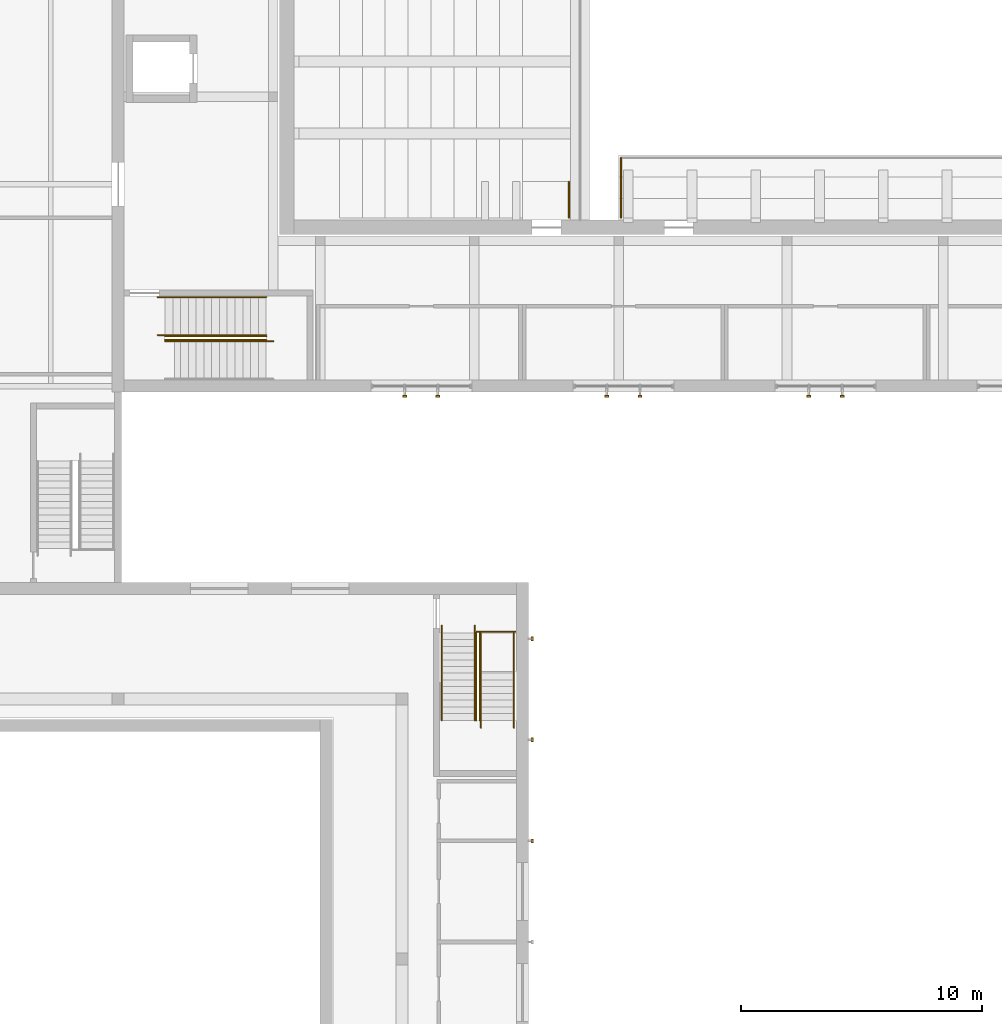
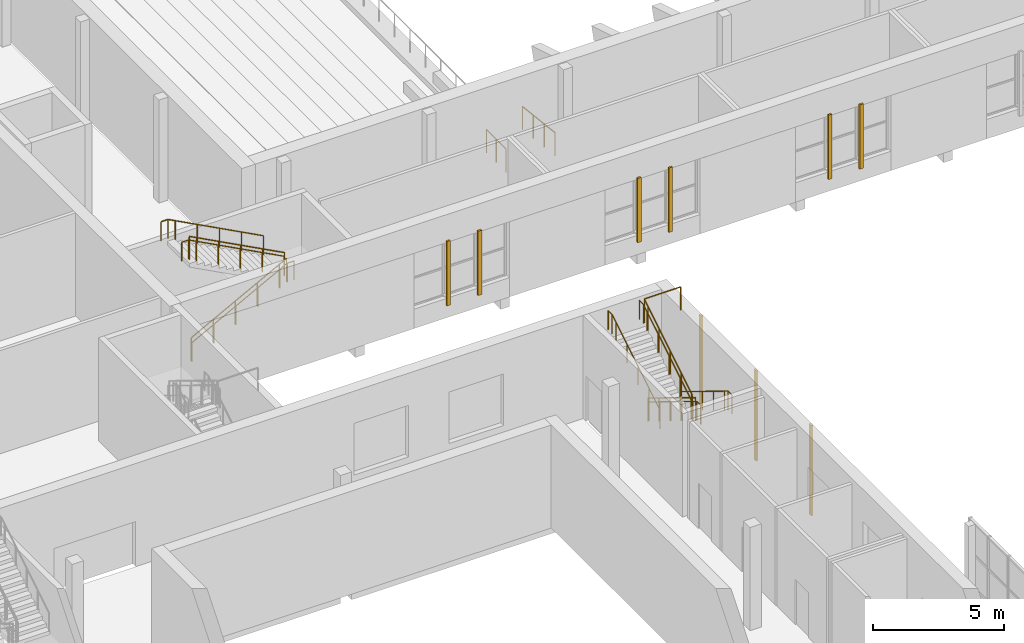
# One storey, part 111 of 127: 14 railings, 9 shading devices.
"""IFC4 building model written with IfcOpenShell, lengths in metres."""

from ifc_helpers import new_model, si_unit, direction, frame, origin, origin_2d, place, context, subcontext, project, spatial, rectangle, circle, extrude, material, type_object, element, save


model = new_model("IFC4")

# Units and contexts
model_context = context("Model", 3, precision=1e-05, world=origin(), true_north=direction((0.0, 1.0)))
body_context = subcontext(model_context, "Body", "Model", "MODEL_VIEW")
ifc_project = project(units=[si_unit("LENGTHUNIT", "METRE"), si_unit("AREAUNIT", "SQUARE_METRE"), si_unit("VOLUMEUNIT", "CUBIC_METRE"), si_unit("PLANEANGLEUNIT", "RADIAN"), si_unit("MASSUNIT", "GRAM", prefix="KILO")], contexts=[model_context])

# Site, building, storey
site_placement = place(None, origin())
site = spatial("IfcSite", under=ifc_project, at=site_placement, CompositionType="ELEMENT")
building_placement = place(site_placement, origin())
building = spatial("IfcBuilding", under=site, at=building_placement, Name="Ljudholm Concert House", CompositionType="ELEMENT")
storey_placement = place(building_placement, frame((0.0, 0.0, 5.39990234375)))
storey = spatial("IfcBuildingStorey", under=building, at=storey_placement, Name="L01", CompositionType="ELEMENT", Elevation=5.39990234375)

# Shading devices
ifc_material_1 = material(Name="Aluminium extrusion with timber-grain PVDF finish", Category="aluminium")
shading_device_type = type_object("IfcShadingDeviceType", Name="FACADE FIN 80x160", PredefinedType="SHUTTER", material=ifc_material_1)
for number, where, z_axis, x_axis, name in (
    (1, (41.110107421875, 53.989990234375, 0.7001953125), (0.0, 0.0, 1.0), (0.0, -1.0, 0.0), "Facade fin"),
    (2, (42.489990234375, 53.989990234375, 0.7001953125), (0.0, 0.0, 1.0), (0.0, -1.0, 0.0), "Facade fin"),
    (3, (49.510009765625, 53.989990234375, 0.7001953125), (0.0, 0.0, 1.0), (0.0, -1.0, 0.0), "Facade fin"),
    (4, (50.889892578125, 53.989990234375, 0.7001953125), (0.0, 0.0, 1.0), (0.0, -1.0, 0.0), "Facade fin"),
    (5, (57.909912109375, 53.989990234375, 0.7001953125), (0.0, 0.0, 1.0), (0.0, -1.0, 0.0), "Facade fin"),
    (6, (59.2900390625, 53.989990234375, 0.7001953125), (0.0, 0.0, 1.0), (0.0, -1.0, 0.0), "Facade fin"),
):
    element("IfcShadingDevice", number, at=place(storey_placement, frame(where, z_axis=z_axis, x_axis=x_axis)), inside=storey, type_object=shading_device_type, Name=name, PredefinedType="SHUTTER", context=body_context, shape_type="SweptSolid", body=[
        extrude(rectangle(XDim=0.080078125, YDim=0.159912109375, at=origin_2d()), origin(), (0.0, 0.0, 1.0), 3.0),
    ])
for number, where, z_axis, x_axis, name in (
    (7, (46.409912109375, 35.5, 0.30029296875), (0.0, 0.0, 1.0), (1.0, 0.0, 0.0), "Facade fin"),
    (8, (46.409912109375, 39.699951171875, 0.30029296875), (0.0, 0.0, 1.0), (1.0, 0.0, 0.0), "Facade fin"),
    (9, (46.409912109375, 43.89990234375, 0.30029296875), (0.0, 0.0, 1.0), (1.0, 0.0, 0.0), "Facade fin"),
):
    element("IfcShadingDevice", number, at=place(storey_placement, frame(where, z_axis=z_axis, x_axis=x_axis)), inside=storey, type_object=shading_device_type, Name=name, PredefinedType="SHUTTER", context=body_context, shape_type="SweptSolid", body=[
        extrude(rectangle(XDim=0.080078125, YDim=0.159912109375, at=origin_2d()), origin(), (0.0, 0.0, 1.0), 4.199951171875),
    ])

# Railings
ifc_material_2 = material(Name="Steel ASTM A36", Category="steel")
railing_type_1 = type_object("IfcRailingType", Name="GUARD 1100", PredefinedType="GUARDRAIL", material=ifc_material_2)
railing_1_placement = place(storey_placement, frame((31.14990234375, 56.324951171875, 0.171630859375)))
element("IfcRailing", 10, at=railing_1_placement, inside=storey, type_object=railing_type_1, Name="Guard", PredefinedType="GUARDRAIL", context=body_context, shape_type="SweptSolid", body=[
    extrude(circle(Radius=0.02490234375, at=origin_2d()), frame((0.0, 0.0, 1.0751953125), z_axis=(0.883397901953, 0.0, 0.468623672925), x_axis=(0.0, 1.0, 0.0)), (0.0, 0.0, 1.0), 1.09716796875),
    extrude(circle(Radius=0.02490234375, at=origin_2d()), frame((0.96923828125, 0.0, 1.58935546875), z_axis=(0.883305776083, 0.0, 0.468797297281), x_axis=(0.0, 1.0, 0.0)), (0.0, 0.0, 1.0), 1.09716796875),
    extrude(circle(Radius=0.02490234375, at=origin_2d()), frame((1.9384765625, 0.0, 2.103515625), z_axis=(0.883397901953, 0.0, 0.468623672925), x_axis=(0.0, 1.0, 0.0)), (0.0, 0.0, 1.0), 1.09716796875),
    extrude(circle(Radius=0.02490234375, at=origin_2d()), frame((2.90771484375, 0.0, 2.61767578125), z_axis=(0.883305776083, 0.0, 0.468797297281), x_axis=(0.0, 1.0, 0.0)), (0.0, 0.0, 1.0), 1.09716796875),
    extrude(circle(Radius=0.02490234375, at=origin_2d()), frame((3.876953125, 0.0, 3.13232421875), z_axis=(0.883495578036, 0.0, 0.468439498324), x_axis=(0.0, 1.0, 0.0)), (0.0, 0.0, 1.0), 0.365966796875),
    extrude(circle(Radius=0.02099609375, at=origin_2d()), origin(), (0.0, 0.0, 1.0), 1.050048828125),
    extrude(circle(Radius=0.02099609375, at=origin_2d()), frame((0.96923828125, 0.0, 0.51416015625)), (0.0, 0.0, 1.0), 1.050048828125),
    extrude(circle(Radius=0.02099609375, at=origin_2d()), frame((1.9384765625, 0.0, 1.028564453125)), (0.0, 0.0, 1.0), 1.050048828125),
    extrude(circle(Radius=0.02099609375, at=origin_2d()), frame((2.90771484375, 0.0, 1.542724609375)), (0.0, 0.0, 1.0), 1.050048828125),
    extrude(circle(Radius=0.02099609375, at=origin_2d()), frame((3.876953125, 0.0, 2.05712890625)), (0.0, 0.0, 1.0), 1.050048828125),
    extrude(circle(Radius=0.02099609375, at=origin_2d()), frame((4.2001953125, 0.0, 2.228515625)), (0.0, 0.0, 1.0), 1.050048828125),
])
railing_2_placement = place(storey_placement, frame((35.35009765625, 56.47509765625, 2.571533203125)))
element("IfcRailing", 11, at=railing_2_placement, inside=storey, type_object=railing_type_1, Name="Guard", PredefinedType="GUARDRAIL", context=body_context, shape_type="SweptSolid", body=[
    extrude(circle(Radius=0.02490234375, at=origin_2d()), frame((0.0, 0.0, 1.0751953125), z_axis=(-0.883397901953, 0.0, 0.468623672925), x_axis=(0.0, -1.0, 0.0)), (0.0, 0.0, 1.0), 1.09716796875),
    extrude(circle(Radius=0.02490234375, at=origin_2d()), frame((-0.96923828125, 0.0, 1.58935546875), z_axis=(-0.883305776083, 0.0, 0.468797297281), x_axis=(0.0, -1.0, 0.0)), (0.0, 0.0, 1.0), 1.09716796875),
    extrude(circle(Radius=0.02490234375, at=origin_2d()), frame((-1.9384765625, 0.0, 2.103515625), z_axis=(-0.883305776083, 0.0, 0.468797297281), x_axis=(0.0, -1.0, 0.0)), (0.0, 0.0, 1.0), 1.09716796875),
    extrude(circle(Radius=0.02490234375, at=origin_2d()), frame((-2.90771484375, 0.0, 2.6181640625), z_axis=(-0.883397901953, 0.0, 0.468623672925), x_axis=(0.0, -1.0, 0.0)), (0.0, 0.0, 1.0), 1.09716796875),
    extrude(circle(Radius=0.02490234375, at=origin_2d()), frame((-3.876953125, 0.0, 3.13232421875), z_axis=(-0.883495578036, 0.0, 0.468439498324), x_axis=(0.0, -1.0, 0.0)), (0.0, 0.0, 1.0), 0.365966796875),
    extrude(circle(Radius=0.02099609375, at=origin_2d()), origin(), (0.0, 0.0, 1.0), 1.050048828125),
    extrude(circle(Radius=0.02099609375, at=origin_2d()), frame((-0.96923828125, 0.0, 0.51416015625)), (0.0, 0.0, 1.0), 1.050048828125),
    extrude(circle(Radius=0.02099609375, at=origin_2d()), frame((-1.9384765625, 0.0, 1.028564453125)), (0.0, 0.0, 1.0), 1.050048828125),
    extrude(circle(Radius=0.02099609375, at=origin_2d()), frame((-2.90771484375, 0.0, 1.54296875)), (0.0, 0.0, 1.0), 1.050048828125),
    extrude(circle(Radius=0.02099609375, at=origin_2d()), frame((-3.876953125, 0.0, 2.05712890625)), (0.0, 0.0, 1.0), 1.050048828125),
    extrude(circle(Radius=0.02099609375, at=origin_2d()), frame((-4.2001953125, 0.0, 2.228515625)), (0.0, 0.0, 1.0), 1.050048828125),
])
railing_3_placement = place(storey_placement, frame((44.22509765625, 44.14990234375, 0.171630859375)))
element("IfcRailing", 12, at=railing_3_placement, inside=storey, type_object=railing_type_1, Name="Guard", PredefinedType="GUARDRAIL", context=body_context, shape_type="SweptSolid", body=[
    extrude(circle(Radius=0.02490234375, at=origin_2d()), frame((0.0, 0.0, 1.0751953125), z_axis=(0.0, -0.85286482292, 0.522131778218), x_axis=(1.0, 0.0, 0.0)), (0.0, 0.0, 1.0), 0.984619140625),
    extrude(circle(Radius=0.02490234375, at=origin_2d()), frame((0.0, -0.83984375, 1.58935546875), z_axis=(0.0, -0.852822021269, 0.522201685212), x_axis=(1.0, 0.0, 0.0)), (0.0, 0.0, 1.0), 0.985107421875),
    extrude(circle(Radius=0.02490234375, at=origin_2d()), frame((0.0, -1.679931640625, 2.103515625), z_axis=(0.0, -0.852932391421, 0.522021393877), x_axis=(1.0, 0.0, 0.0)), (0.0, 0.0, 1.0), 0.98486328125),
    extrude(circle(Radius=0.02490234375, at=origin_2d()), frame((0.0, -2.52001953125, 2.61767578125), z_axis=(0.0, -0.852754414843, 0.522312079092), x_axis=(1.0, 0.0, 0.0)), (0.0, 0.0, 1.0), 0.98486328125),
    extrude(circle(Radius=0.02490234375, at=origin_2d()), frame((0.0, -3.35986328125, 3.13232421875), z_axis=(0.0, -0.852932391421, 0.522021393877), x_axis=(1.0, 0.0, 0.0)), (0.0, 0.0, 1.0), 0.328369140625),
    extrude(circle(Radius=0.02099609375, at=origin_2d()), origin(), (0.0, 0.0, 1.0), 1.050048828125),
    extrude(circle(Radius=0.02099609375, at=origin_2d()), frame((0.0, -0.83984375, 0.51416015625)), (0.0, 0.0, 1.0), 1.050048828125),
    extrude(circle(Radius=0.02099609375, at=origin_2d()), frame((0.0, -1.679931640625, 1.028564453125)), (0.0, 0.0, 1.0), 1.050048828125),
    extrude(circle(Radius=0.02099609375, at=origin_2d()), frame((0.0, -2.52001953125, 1.542724609375)), (0.0, 0.0, 1.0), 1.050048828125),
    extrude(circle(Radius=0.02099609375, at=origin_2d()), frame((0.0, -3.35986328125, 2.05712890625)), (0.0, 0.0, 1.0), 1.050048828125),
    extrude(circle(Radius=0.02099609375, at=origin_2d()), frame((0.0, -3.639892578125, 2.228515625)), (0.0, 0.0, 1.0), 1.050048828125),
])
railing_4_placement = place(storey_placement, frame((44.074951171875, 40.510009765625, 2.571533203125)))
element("IfcRailing", 13, at=railing_4_placement, inside=storey, type_object=railing_type_1, Name="Guard", PredefinedType="GUARDRAIL", context=body_context, shape_type="SweptSolid", body=[
    extrude(circle(Radius=0.02490234375, at=origin_2d()), frame((0.0, 0.0, 1.0751953125), z_axis=(0.0, 0.852932391421, 0.522021393877), x_axis=(-1.0, 0.0, 0.0)), (0.0, 0.0, 1.0), 0.98486328125),
    extrude(circle(Radius=0.02490234375, at=origin_2d()), frame((0.0, 0.840087890625, 1.58935546875), z_axis=(0.0, 0.852754414843, 0.522312079092), x_axis=(-1.0, 0.0, 0.0)), (0.0, 0.0, 1.0), 0.98486328125),
    extrude(circle(Radius=0.02490234375, at=origin_2d()), frame((0.0, 1.679931640625, 2.103515625), z_axis=(0.0, 0.852822021269, 0.522201685212), x_axis=(-1.0, 0.0, 0.0)), (0.0, 0.0, 1.0), 0.985107421875),
    extrude(circle(Radius=0.02490234375, at=origin_2d()), frame((0.0, 2.52001953125, 2.6181640625), z_axis=(0.0, 0.852932391421, 0.522021393877), x_axis=(-1.0, 0.0, 0.0)), (0.0, 0.0, 1.0), 0.98486328125),
    extrude(circle(Radius=0.02490234375, at=origin_2d()), frame((0.0, 3.360107421875, 3.13232421875), z_axis=(0.0, 0.852729557261, 0.522352660731), x_axis=(-1.0, 0.0, 0.0)), (0.0, 0.0, 1.0), 0.328125),
    extrude(circle(Radius=0.02099609375, at=origin_2d()), origin(), (0.0, 0.0, 1.0), 1.050048828125),
    extrude(circle(Radius=0.02099609375, at=origin_2d()), frame((0.0, 0.840087890625, 0.51416015625)), (0.0, 0.0, 1.0), 1.050048828125),
    extrude(circle(Radius=0.02099609375, at=origin_2d()), frame((0.0, 1.679931640625, 1.028564453125)), (0.0, 0.0, 1.0), 1.050048828125),
    extrude(circle(Radius=0.02099609375, at=origin_2d()), frame((0.0, 2.52001953125, 1.54296875)), (0.0, 0.0, 1.0), 1.050048828125),
    extrude(circle(Radius=0.02099609375, at=origin_2d()), frame((0.0, 3.360107421875, 2.05712890625)), (0.0, 0.0, 1.0), 1.050048828125),
    extrude(circle(Radius=0.02099609375, at=origin_2d()), frame((0.0, 3.639892578125, 2.228515625)), (0.0, 0.0, 1.0), 1.050048828125),
])
railing_5_placement = place(storey_placement, frame((44.10009765625, 44.199951171875, 4.800048828125)))
element("IfcRailing", 14, at=railing_5_placement, inside=storey, type_object=railing_type_1, Name="Guard", PredefinedType="GUARDRAIL", context=body_context, shape_type="SweptSolid", body=[
    extrude(circle(Radius=0.02490234375, at=origin_2d()), frame((0.0, 0.0, 1.0751953125), z_axis=(1.0, 0.0, 0.0), x_axis=(0.0, 1.0, 0.0)), (0.0, 0.0, 1.0), 1.599853515625),
    extrude(circle(Radius=0.02099609375, at=origin_2d()), origin(), (0.0, 0.0, 1.0), 1.050048828125),
    extrude(circle(Radius=0.02099609375, at=origin_2d()), frame((1.599853515625, 0.0, 0.0)), (0.0, 0.0, 1.0), 1.050048828125),
])
railing_6_placement = place(storey_placement, frame((47.93994140625, 61.39990234375, 0.0)))
element("IfcRailing", 15, at=railing_6_placement, inside=storey, type_object=railing_type_1, Name="Landing guard", PredefinedType="GUARDRAIL", context=body_context, shape_type="SweptSolid", body=[
    extrude(circle(Radius=0.02490234375, at=origin_2d()), frame((0.0, 0.0, 1.0751953125), z_axis=(0.0, 1.0, 0.0), x_axis=(-1.0, 0.0, 0.0)), (0.0, 0.0, 1.0), 1.5),
    extrude(circle(Radius=0.02099609375, at=origin_2d()), origin(), (0.0, 0.0, 1.0), 1.050048828125),
    extrude(circle(Radius=0.02099609375, at=origin_2d()), frame((0.0, 0.75, 0.0)), (0.0, 0.0, 1.0), 1.050048828125),
    extrude(circle(Radius=0.02099609375, at=origin_2d()), frame((0.0, 1.5, 0.0)), (0.0, 0.0, 1.0), 1.050048828125),
])
railing_7_placement = place(storey_placement, frame((50.10009765625, 61.39990234375, 0.0)))
element("IfcRailing", 16, at=railing_7_placement, inside=storey, type_object=railing_type_1, Name="Gallery end guard", PredefinedType="GUARDRAIL", context=body_context, shape_type="SweptSolid", body=[
    extrude(circle(Radius=0.02490234375, at=origin_2d()), frame((0.0, 0.0, 1.0751953125), z_axis=(0.0, 0.993392781118, -0.114764029303), x_axis=(-1.0, 0.0, 0.0)), (0.0, 0.0, 1.0), 2.5166015625),
    extrude(circle(Radius=0.02099609375, at=origin_2d()), origin(), (0.0, 0.0, 1.0), 1.050048828125),
    extrude(circle(Radius=0.02099609375, at=origin_2d()), frame((0.0, 0.833251953125, -0.09619140625)), (0.0, 0.0, 1.0), 1.050048828125),
    extrude(circle(Radius=0.02099609375, at=origin_2d()), frame((0.0, 1.666748046875, -0.192626953125)), (0.0, 0.0, 1.0), 1.050048828125),
    extrude(circle(Radius=0.02099609375, at=origin_2d()), frame((0.0, 2.5, -0.288818359375)), (0.0, 0.0, 1.0), 1.050048828125),
])
ifc_material_3 = material(Name="Steel ASTM A36", Category="steel")
railing_type_2 = type_object("IfcRailingType", Name="HANDRAIL 900", PredefinedType="HANDRAIL", material=ifc_material_3)
railing_8_placement = place(storey_placement, frame((31.14990234375, 56.27490234375, 0.171630859375)))
element("IfcRailing", 17, at=railing_8_placement, inside=storey, type_object=railing_type_2, Name="Handrail", PredefinedType="HANDRAIL", context=body_context, shape_type="SweptSolid", body=[
    extrude(circle(Radius=0.0224609375, at=origin_2d()), frame((0.0, 0.0, 0.87744140625), z_axis=(0.883397901953, 0.0, 0.468623672925), x_axis=(0.0, 1.0, 0.0)), (0.0, 0.0, 1.0), 1.09716796875),
    extrude(circle(Radius=0.0224609375, at=origin_2d()), frame((0.96923828125, 0.0, 1.3916015625), z_axis=(0.883305776083, 0.0, 0.468797297281), x_axis=(0.0, 1.0, 0.0)), (0.0, 0.0, 1.0), 1.09716796875),
    extrude(circle(Radius=0.0224609375, at=origin_2d()), frame((1.9384765625, 0.0, 1.906005859375), z_axis=(0.883397901953, 0.0, 0.468623672925), x_axis=(0.0, 1.0, 0.0)), (0.0, 0.0, 1.0), 1.09716796875),
    extrude(circle(Radius=0.0224609375, at=origin_2d()), frame((2.90771484375, 0.0, 2.420166015625), z_axis=(0.883305776083, 0.0, 0.468797297281), x_axis=(0.0, 1.0, 0.0)), (0.0, 0.0, 1.0), 1.09716796875),
    extrude(circle(Radius=0.0224609375, at=origin_2d()), frame((3.876953125, 0.0, 2.9345703125), z_axis=(0.883495578036, 0.0, 0.468439498324), x_axis=(0.0, 1.0, 0.0)), (0.0, 0.0, 1.0), 0.365966796875),
    extrude(circle(Radius=0.0224609375, at=origin_2d()), frame((4.2001953125, 0.0, 3.10595703125), z_axis=(1.0, 0.0, 0.0), x_axis=(0.0, 1.0, 0.0)), (0.0, 0.0, 1.0), 0.2998046875),
    extrude(circle(Radius=0.02099609375, at=origin_2d()), origin(), (0.0, 0.0, 1.0), 0.85498046875),
    extrude(circle(Radius=0.02099609375, at=origin_2d()), frame((0.96923828125, 0.0, 0.51416015625)), (0.0, 0.0, 1.0), 0.85498046875),
    extrude(circle(Radius=0.02099609375, at=origin_2d()), frame((1.9384765625, 0.0, 1.028564453125)), (0.0, 0.0, 1.0), 0.85498046875),
    extrude(circle(Radius=0.02099609375, at=origin_2d()), frame((2.90771484375, 0.0, 1.542724609375)), (0.0, 0.0, 1.0), 0.85498046875),
    extrude(circle(Radius=0.02099609375, at=origin_2d()), frame((3.876953125, 0.0, 2.05712890625)), (0.0, 0.0, 1.0), 0.85498046875),
    extrude(circle(Radius=0.02099609375, at=origin_2d()), frame((4.2001953125, 0.0, 2.228515625)), (0.0, 0.0, 1.0), 0.85498046875),
    extrude(circle(Radius=0.02099609375, at=origin_2d()), frame((4.5, 0.0, 2.228515625)), (0.0, 0.0, 1.0), 0.85498046875),
])
railing_9_placement = place(storey_placement, frame((35.35009765625, 56.52490234375, 2.571533203125)))
element("IfcRailing", 18, at=railing_9_placement, inside=storey, type_object=railing_type_2, Name="Handrail", PredefinedType="HANDRAIL", context=body_context, shape_type="SweptSolid", body=[
    extrude(circle(Radius=0.0224609375, at=origin_2d()), frame((0.0, 0.0, 0.87744140625), z_axis=(-0.883397901953, 0.0, 0.468623672925), x_axis=(0.0, -1.0, 0.0)), (0.0, 0.0, 1.0), 1.09716796875),
    extrude(circle(Radius=0.0224609375, at=origin_2d()), frame((-0.96923828125, 0.0, 1.3916015625), z_axis=(-0.883305776083, 0.0, 0.468797297281), x_axis=(0.0, -1.0, 0.0)), (0.0, 0.0, 1.0), 1.09716796875),
    extrude(circle(Radius=0.0224609375, at=origin_2d()), frame((-1.9384765625, 0.0, 1.906005859375), z_axis=(-0.883305776083, 0.0, 0.468797297281), x_axis=(0.0, -1.0, 0.0)), (0.0, 0.0, 1.0), 1.09716796875),
    extrude(circle(Radius=0.0224609375, at=origin_2d()), frame((-2.90771484375, 0.0, 2.42041015625), z_axis=(-0.883397901953, 0.0, 0.468623672925), x_axis=(0.0, -1.0, 0.0)), (0.0, 0.0, 1.0), 1.09716796875),
    extrude(circle(Radius=0.0224609375, at=origin_2d()), frame((-3.876953125, 0.0, 2.9345703125), z_axis=(-0.883495578036, 0.0, 0.468439498324), x_axis=(0.0, -1.0, 0.0)), (0.0, 0.0, 1.0), 0.365966796875),
    extrude(circle(Radius=0.0224609375, at=origin_2d()), frame((-4.2001953125, 0.0, 3.10595703125), z_axis=(-1.0, 0.0, 0.0), x_axis=(0.0, -1.0, 0.0)), (0.0, 0.0, 1.0), 0.2998046875),
    extrude(circle(Radius=0.02099609375, at=origin_2d()), origin(), (0.0, 0.0, 1.0), 0.85498046875),
    extrude(circle(Radius=0.02099609375, at=origin_2d()), frame((-0.96923828125, 0.0, 0.51416015625)), (0.0, 0.0, 1.0), 0.85498046875),
    extrude(circle(Radius=0.02099609375, at=origin_2d()), frame((-1.9384765625, 0.0, 1.028564453125)), (0.0, 0.0, 1.0), 0.85498046875),
    extrude(circle(Radius=0.02099609375, at=origin_2d()), frame((-2.90771484375, 0.0, 1.54296875)), (0.0, 0.0, 1.0), 0.85498046875),
    extrude(circle(Radius=0.02099609375, at=origin_2d()), frame((-3.876953125, 0.0, 2.05712890625)), (0.0, 0.0, 1.0), 0.85498046875),
    extrude(circle(Radius=0.02099609375, at=origin_2d()), frame((-4.2001953125, 0.0, 2.228515625)), (0.0, 0.0, 1.0), 0.85498046875),
    extrude(circle(Radius=0.02099609375, at=origin_2d()), frame((-4.5, 0.0, 2.228515625)), (0.0, 0.0, 1.0), 0.85498046875),
])
railing_10_placement = place(storey_placement, frame((35.35009765625, 58.10009765625, 2.571533203125)))
element("IfcRailing", 19, at=railing_10_placement, inside=storey, type_object=railing_type_2, Name="Handrail", PredefinedType="HANDRAIL", context=body_context, shape_type="SweptSolid", body=[
    extrude(circle(Radius=0.0224609375, at=origin_2d()), frame((0.0, 0.0, 0.87744140625), z_axis=(-0.883397901953, 0.0, 0.468623672925), x_axis=(0.0, -1.0, 0.0)), (0.0, 0.0, 1.0), 1.09716796875),
    extrude(circle(Radius=0.0224609375, at=origin_2d()), frame((-0.96923828125, 0.0, 1.3916015625), z_axis=(-0.883305776083, 0.0, 0.468797297281), x_axis=(0.0, -1.0, 0.0)), (0.0, 0.0, 1.0), 1.09716796875),
    extrude(circle(Radius=0.0224609375, at=origin_2d()), frame((-1.9384765625, 0.0, 1.906005859375), z_axis=(-0.883305776083, 0.0, 0.468797297281), x_axis=(0.0, -1.0, 0.0)), (0.0, 0.0, 1.0), 1.09716796875),
    extrude(circle(Radius=0.0224609375, at=origin_2d()), frame((-2.90771484375, 0.0, 2.42041015625), z_axis=(-0.883397901953, 0.0, 0.468623672925), x_axis=(0.0, -1.0, 0.0)), (0.0, 0.0, 1.0), 1.09716796875),
    extrude(circle(Radius=0.0224609375, at=origin_2d()), frame((-3.876953125, 0.0, 2.9345703125), z_axis=(-0.883495578036, 0.0, 0.468439498324), x_axis=(0.0, -1.0, 0.0)), (0.0, 0.0, 1.0), 0.365966796875),
    extrude(circle(Radius=0.0224609375, at=origin_2d()), frame((-4.2001953125, 0.0, 3.10595703125), z_axis=(-1.0, 0.0, 0.0), x_axis=(0.0, -1.0, 0.0)), (0.0, 0.0, 1.0), 0.2998046875),
    extrude(circle(Radius=0.02099609375, at=origin_2d()), origin(), (0.0, 0.0, 1.0), 0.85498046875),
    extrude(circle(Radius=0.02099609375, at=origin_2d()), frame((-0.96923828125, 0.0, 0.51416015625)), (0.0, 0.0, 1.0), 0.85498046875),
    extrude(circle(Radius=0.02099609375, at=origin_2d()), frame((-1.9384765625, 0.0, 1.028564453125)), (0.0, 0.0, 1.0), 0.85498046875),
    extrude(circle(Radius=0.02099609375, at=origin_2d()), frame((-2.90771484375, 0.0, 1.54296875)), (0.0, 0.0, 1.0), 0.85498046875),
    extrude(circle(Radius=0.02099609375, at=origin_2d()), frame((-3.876953125, 0.0, 2.05712890625)), (0.0, 0.0, 1.0), 0.85498046875),
    extrude(circle(Radius=0.02099609375, at=origin_2d()), frame((-4.2001953125, 0.0, 2.228515625)), (0.0, 0.0, 1.0), 0.85498046875),
    extrude(circle(Radius=0.02099609375, at=origin_2d()), frame((-4.5, 0.0, 2.228515625)), (0.0, 0.0, 1.0), 0.85498046875),
])
railing_11_placement = place(storey_placement, frame((45.64990234375, 44.14990234375, 0.171630859375)))
element("IfcRailing", 20, at=railing_11_placement, inside=storey, type_object=railing_type_2, Name="Handrail", PredefinedType="HANDRAIL", context=body_context, shape_type="SweptSolid", body=[
    extrude(circle(Radius=0.0224609375, at=origin_2d()), frame((0.0, 0.0, 0.87744140625), z_axis=(0.0, -0.85286482292, 0.522131778218), x_axis=(1.0, 0.0, 0.0)), (0.0, 0.0, 1.0), 0.984619140625),
    extrude(circle(Radius=0.0224609375, at=origin_2d()), frame((0.0, -0.83984375, 1.3916015625), z_axis=(0.0, -0.852822021269, 0.522201685212), x_axis=(1.0, 0.0, 0.0)), (0.0, 0.0, 1.0), 0.985107421875),
    extrude(circle(Radius=0.0224609375, at=origin_2d()), frame((0.0, -1.679931640625, 1.906005859375), z_axis=(0.0, -0.852932391421, 0.522021393877), x_axis=(1.0, 0.0, 0.0)), (0.0, 0.0, 1.0), 0.98486328125),
    extrude(circle(Radius=0.0224609375, at=origin_2d()), frame((0.0, -2.52001953125, 2.420166015625), z_axis=(0.0, -0.852754414843, 0.522312079092), x_axis=(1.0, 0.0, 0.0)), (0.0, 0.0, 1.0), 0.98486328125),
    extrude(circle(Radius=0.0224609375, at=origin_2d()), frame((0.0, -3.35986328125, 2.9345703125), z_axis=(0.0, -0.852932391421, 0.522021393877), x_axis=(1.0, 0.0, 0.0)), (0.0, 0.0, 1.0), 0.328369140625),
    extrude(circle(Radius=0.0224609375, at=origin_2d()), frame((0.0, -3.639892578125, 3.10595703125), z_axis=(0.0, -1.0, 0.0), x_axis=(1.0, 0.0, 0.0)), (0.0, 0.0, 1.0), 0.300048828125),
    extrude(circle(Radius=0.02099609375, at=origin_2d()), origin(), (0.0, 0.0, 1.0), 0.85498046875),
    extrude(circle(Radius=0.02099609375, at=origin_2d()), frame((0.0, -0.83984375, 0.51416015625)), (0.0, 0.0, 1.0), 0.85498046875),
    extrude(circle(Radius=0.02099609375, at=origin_2d()), frame((0.0, -1.679931640625, 1.028564453125)), (0.0, 0.0, 1.0), 0.85498046875),
    extrude(circle(Radius=0.02099609375, at=origin_2d()), frame((0.0, -2.52001953125, 1.542724609375)), (0.0, 0.0, 1.0), 0.85498046875),
    extrude(circle(Radius=0.02099609375, at=origin_2d()), frame((0.0, -3.35986328125, 2.05712890625)), (0.0, 0.0, 1.0), 0.85498046875),
    extrude(circle(Radius=0.02099609375, at=origin_2d()), frame((0.0, -3.639892578125, 2.228515625)), (0.0, 0.0, 1.0), 0.85498046875),
    extrude(circle(Radius=0.02099609375, at=origin_2d()), frame((0.0, -3.93994140625, 2.228515625)), (0.0, 0.0, 1.0), 0.85498046875),
])
railing_12_placement = place(storey_placement, frame((44.27490234375, 44.14990234375, 0.171630859375)))
element("IfcRailing", 21, at=railing_12_placement, inside=storey, type_object=railing_type_2, Name="Handrail", PredefinedType="HANDRAIL", context=body_context, shape_type="SweptSolid", body=[
    extrude(circle(Radius=0.0224609375, at=origin_2d()), frame((0.0, 0.0, 0.87744140625), z_axis=(0.0, -0.85286482292, 0.522131778218), x_axis=(1.0, 0.0, 0.0)), (0.0, 0.0, 1.0), 0.984619140625),
    extrude(circle(Radius=0.0224609375, at=origin_2d()), frame((0.0, -0.83984375, 1.3916015625), z_axis=(0.0, -0.852822021269, 0.522201685212), x_axis=(1.0, 0.0, 0.0)), (0.0, 0.0, 1.0), 0.985107421875),
    extrude(circle(Radius=0.0224609375, at=origin_2d()), frame((0.0, -1.679931640625, 1.906005859375), z_axis=(0.0, -0.852932391421, 0.522021393877), x_axis=(1.0, 0.0, 0.0)), (0.0, 0.0, 1.0), 0.98486328125),
    extrude(circle(Radius=0.0224609375, at=origin_2d()), frame((0.0, -2.52001953125, 2.420166015625), z_axis=(0.0, -0.852754414843, 0.522312079092), x_axis=(1.0, 0.0, 0.0)), (0.0, 0.0, 1.0), 0.98486328125),
    extrude(circle(Radius=0.0224609375, at=origin_2d()), frame((0.0, -3.35986328125, 2.9345703125), z_axis=(0.0, -0.852932391421, 0.522021393877), x_axis=(1.0, 0.0, 0.0)), (0.0, 0.0, 1.0), 0.328369140625),
    extrude(circle(Radius=0.0224609375, at=origin_2d()), frame((0.0, -3.639892578125, 3.10595703125), z_axis=(0.0, -1.0, 0.0), x_axis=(1.0, 0.0, 0.0)), (0.0, 0.0, 1.0), 0.300048828125),
    extrude(circle(Radius=0.02099609375, at=origin_2d()), origin(), (0.0, 0.0, 1.0), 0.85498046875),
    extrude(circle(Radius=0.02099609375, at=origin_2d()), frame((0.0, -0.83984375, 0.51416015625)), (0.0, 0.0, 1.0), 0.85498046875),
    extrude(circle(Radius=0.02099609375, at=origin_2d()), frame((0.0, -1.679931640625, 1.028564453125)), (0.0, 0.0, 1.0), 0.85498046875),
    extrude(circle(Radius=0.02099609375, at=origin_2d()), frame((0.0, -2.52001953125, 1.542724609375)), (0.0, 0.0, 1.0), 0.85498046875),
    extrude(circle(Radius=0.02099609375, at=origin_2d()), frame((0.0, -3.35986328125, 2.05712890625)), (0.0, 0.0, 1.0), 0.85498046875),
    extrude(circle(Radius=0.02099609375, at=origin_2d()), frame((0.0, -3.639892578125, 2.228515625)), (0.0, 0.0, 1.0), 0.85498046875),
    extrude(circle(Radius=0.02099609375, at=origin_2d()), frame((0.0, -3.93994140625, 2.228515625)), (0.0, 0.0, 1.0), 0.85498046875),
])
railing_13_placement = place(storey_placement, frame((42.64990234375, 40.510009765625, 2.571533203125)))
element("IfcRailing", 22, at=railing_13_placement, inside=storey, type_object=railing_type_2, Name="Handrail", PredefinedType="HANDRAIL", context=body_context, shape_type="SweptSolid", body=[
    extrude(circle(Radius=0.0224609375, at=origin_2d()), frame((0.0, 0.0, 0.87744140625), z_axis=(0.0, 0.852932391421, 0.522021393877), x_axis=(-1.0, 0.0, 0.0)), (0.0, 0.0, 1.0), 0.98486328125),
    extrude(circle(Radius=0.0224609375, at=origin_2d()), frame((0.0, 0.840087890625, 1.3916015625), z_axis=(0.0, 0.852754414843, 0.522312079092), x_axis=(-1.0, 0.0, 0.0)), (0.0, 0.0, 1.0), 0.98486328125),
    extrude(circle(Radius=0.0224609375, at=origin_2d()), frame((0.0, 1.679931640625, 1.906005859375), z_axis=(0.0, 0.852822021269, 0.522201685212), x_axis=(-1.0, 0.0, 0.0)), (0.0, 0.0, 1.0), 0.985107421875),
    extrude(circle(Radius=0.0224609375, at=origin_2d()), frame((0.0, 2.52001953125, 2.42041015625), z_axis=(0.0, 0.852932391421, 0.522021393877), x_axis=(-1.0, 0.0, 0.0)), (0.0, 0.0, 1.0), 0.98486328125),
    extrude(circle(Radius=0.0224609375, at=origin_2d()), frame((0.0, 3.360107421875, 2.9345703125), z_axis=(0.0, 0.852729557261, 0.522352660731), x_axis=(-1.0, 0.0, 0.0)), (0.0, 0.0, 1.0), 0.328125),
    extrude(circle(Radius=0.0224609375, at=origin_2d()), frame((0.0, 3.639892578125, 3.10595703125), z_axis=(0.0, 1.0, 0.0), x_axis=(-1.0, 0.0, 0.0)), (0.0, 0.0, 1.0), 0.300048828125),
    extrude(circle(Radius=0.02099609375, at=origin_2d()), origin(), (0.0, 0.0, 1.0), 0.85498046875),
    extrude(circle(Radius=0.02099609375, at=origin_2d()), frame((0.0, 0.840087890625, 0.51416015625)), (0.0, 0.0, 1.0), 0.85498046875),
    extrude(circle(Radius=0.02099609375, at=origin_2d()), frame((0.0, 1.679931640625, 1.028564453125)), (0.0, 0.0, 1.0), 0.85498046875),
    extrude(circle(Radius=0.02099609375, at=origin_2d()), frame((0.0, 2.52001953125, 1.54296875)), (0.0, 0.0, 1.0), 0.85498046875),
    extrude(circle(Radius=0.02099609375, at=origin_2d()), frame((0.0, 3.360107421875, 2.05712890625)), (0.0, 0.0, 1.0), 0.85498046875),
    extrude(circle(Radius=0.02099609375, at=origin_2d()), frame((0.0, 3.639892578125, 2.228515625)), (0.0, 0.0, 1.0), 0.85498046875),
    extrude(circle(Radius=0.02099609375, at=origin_2d()), frame((0.0, 3.93994140625, 2.228515625)), (0.0, 0.0, 1.0), 0.85498046875),
])
railing_14_placement = place(storey_placement, frame((44.02490234375, 40.510009765625, 2.571533203125)))
element("IfcRailing", 23, at=railing_14_placement, inside=storey, type_object=railing_type_2, Name="Handrail", PredefinedType="HANDRAIL", context=body_context, shape_type="SweptSolid", body=[
    extrude(circle(Radius=0.0224609375, at=origin_2d()), frame((0.0, 0.0, 0.87744140625), z_axis=(0.0, 0.852932391421, 0.522021393877), x_axis=(-1.0, 0.0, 0.0)), (0.0, 0.0, 1.0), 0.98486328125),
    extrude(circle(Radius=0.0224609375, at=origin_2d()), frame((0.0, 0.840087890625, 1.3916015625), z_axis=(0.0, 0.852754414843, 0.522312079092), x_axis=(-1.0, 0.0, 0.0)), (0.0, 0.0, 1.0), 0.98486328125),
    extrude(circle(Radius=0.0224609375, at=origin_2d()), frame((0.0, 1.679931640625, 1.906005859375), z_axis=(0.0, 0.852822021269, 0.522201685212), x_axis=(-1.0, 0.0, 0.0)), (0.0, 0.0, 1.0), 0.985107421875),
    extrude(circle(Radius=0.0224609375, at=origin_2d()), frame((0.0, 2.52001953125, 2.42041015625), z_axis=(0.0, 0.852932391421, 0.522021393877), x_axis=(-1.0, 0.0, 0.0)), (0.0, 0.0, 1.0), 0.98486328125),
    extrude(circle(Radius=0.0224609375, at=origin_2d()), frame((0.0, 3.360107421875, 2.9345703125), z_axis=(0.0, 0.852729557261, 0.522352660731), x_axis=(-1.0, 0.0, 0.0)), (0.0, 0.0, 1.0), 0.328125),
    extrude(circle(Radius=0.0224609375, at=origin_2d()), frame((0.0, 3.639892578125, 3.10595703125), z_axis=(0.0, 1.0, 0.0), x_axis=(-1.0, 0.0, 0.0)), (0.0, 0.0, 1.0), 0.300048828125),
    extrude(circle(Radius=0.02099609375, at=origin_2d()), origin(), (0.0, 0.0, 1.0), 0.85498046875),
    extrude(circle(Radius=0.02099609375, at=origin_2d()), frame((0.0, 0.840087890625, 0.51416015625)), (0.0, 0.0, 1.0), 0.85498046875),
    extrude(circle(Radius=0.02099609375, at=origin_2d()), frame((0.0, 1.679931640625, 1.028564453125)), (0.0, 0.0, 1.0), 0.85498046875),
    extrude(circle(Radius=0.02099609375, at=origin_2d()), frame((0.0, 2.52001953125, 1.54296875)), (0.0, 0.0, 1.0), 0.85498046875),
    extrude(circle(Radius=0.02099609375, at=origin_2d()), frame((0.0, 3.360107421875, 2.05712890625)), (0.0, 0.0, 1.0), 0.85498046875),
    extrude(circle(Radius=0.02099609375, at=origin_2d()), frame((0.0, 3.639892578125, 2.228515625)), (0.0, 0.0, 1.0), 0.85498046875),
    extrude(circle(Radius=0.02099609375, at=origin_2d()), frame((0.0, 3.93994140625, 2.228515625)), (0.0, 0.0, 1.0), 0.85498046875),
])

save(model, "model.ifc")
